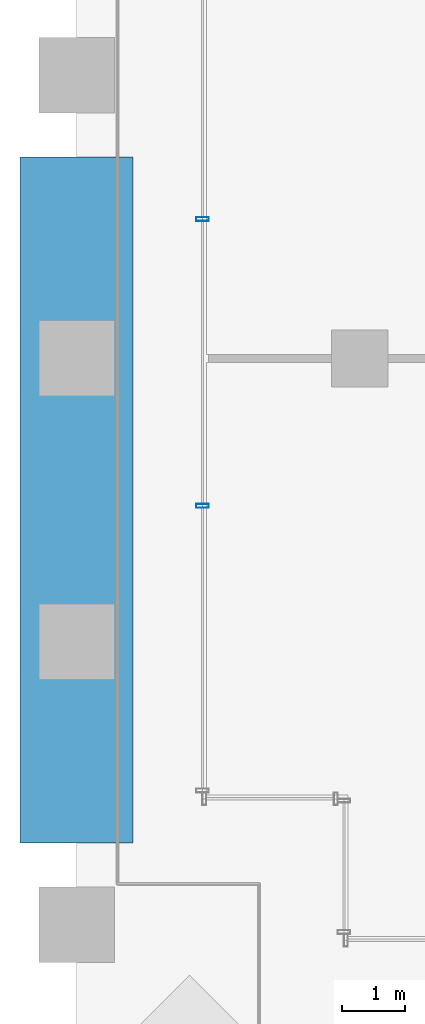
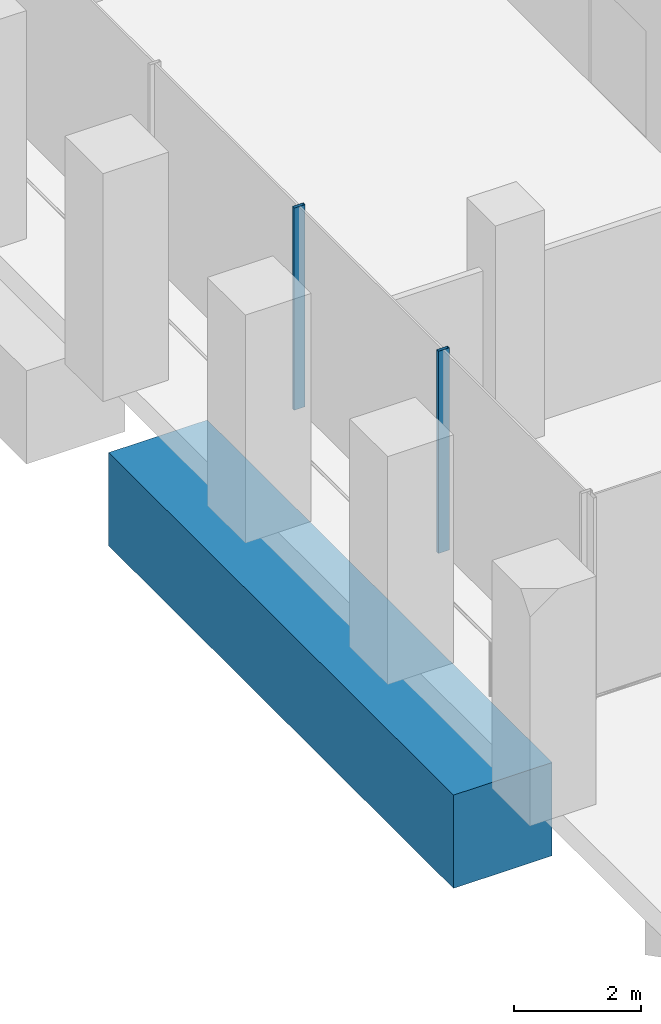
# One storey, part 3 of 32: 2 members, 1 beam, 1 element without a shape of its own.
"""IFC4 building model written with IfcOpenShell, lengths in metres."""

import ifcopenshell
import ifcopenshell.guid

model = None  # the IFC model being written
_history = None  # IfcOwnerHistory: only IFC2X3 demands one
_inside = {}  # id of a spatial element -> (the spatial element, [elements in it])
_under = {}  # id of a project, library or spatial element -> (it, [spatial elements below it])
_declared = {}  # id of a project -> (the project, [libraries it declares])
_typed = {}  # id of a type object -> (the type object, [elements of that type])
_made_of = {}  # id of a material, layer set ... -> (it, [elements and type objects made of it])


def new_model(schema):
    """Start an empty IFC model of exactly this schema.

    Asked for "IFC4X3", IfcOpenShell would pick the latest addendum, in which some entities
    have other attributes; the version numbers below select the first issue.
    IFC2X3 requires an IfcOwnerHistory on every rooted entity: one is made here for all.
    """
    global model, _history
    if schema == "IFC4X3":
        model = ifcopenshell.file(schema_version=(4, 3, 0, 0))
    else:
        model = ifcopenshell.file(schema=schema)
    _inside.clear()
    _under.clear()
    _declared.clear()
    _typed.clear()
    _made_of.clear()
    _history = None
    if model.schema == "IFC2X3":
        org = make("IfcOrganization", Name="unknown")
        user = make(
            "IfcPersonAndOrganization",
            ThePerson=make("IfcPerson", FamilyName="unknown"),
            TheOrganization=org,
        )
        app = make(
            "IfcApplication",
            ApplicationDeveloper=org,
            Version="unknown",
            ApplicationFullName="unknown",
            ApplicationIdentifier="unknown",
        )
        _history = make(
            "IfcOwnerHistory",
            OwningUser=user,
            OwningApplication=app,
            ChangeAction="ADDED",
            CreationDate=0,
        )
    return model


def make(cls, **values):
    """One entity of the class cls with the attributes given. An attribute that is None is left unset."""
    return model.create_entity(
        cls, **{name: value for name, value in values.items() if value is not None}
    )


def rooted(cls, **values):
    """An entity with a GlobalId (a new one), such as an element, a storey or a relation."""
    return make(cls, GlobalId=ifcopenshell.guid.new(), OwnerHistory=_history, **values)


def si_unit(unit_type, name, prefix=None):
    """IfcSIUnit, for example si_unit("LENGTHUNIT", "METRE", prefix="MILLI")."""
    return make("IfcSIUnit", UnitType=unit_type, Prefix=prefix, Name=name)


def assignment(units):
    """IfcUnitAssignment: the units of a project."""
    return None if units is None else make("IfcUnitAssignment", Units=units)


def point(xyz):
    """IfcCartesianPoint."""
    return None if xyz is None else make("IfcCartesianPoint", Coordinates=xyz)


def direction(xyz):
    """IfcDirection."""
    return None if xyz is None else make("IfcDirection", DirectionRatios=xyz)


def frame(location, z_axis=None, x_axis=None):
    """IfcAxis2Placement3D, a coordinate frame: its origin and axes. An axis left out is left unset."""
    return make(
        "IfcAxis2Placement3D",
        Location=point(location),
        Axis=direction(z_axis),
        RefDirection=direction(x_axis),
    )


def frame_2d(location, x_axis=None):
    """IfcAxis2Placement2D, a coordinate frame in the plane: its origin and x axis."""
    return make(
        "IfcAxis2Placement2D", Location=point(location), RefDirection=direction(x_axis)
    )


def origin():
    """The frame at (0, 0, 0) with its axes left unset."""
    return frame((0.0, 0.0, 0.0))


def origin_2d():
    """The frame at (0, 0) in the plane with its x axis left unset."""
    return frame_2d((0.0, 0.0))


def place(relative_to, where):
    """IfcLocalPlacement: puts the frame where relative to a parent placement (None: the world)."""
    return make(
        "IfcLocalPlacement", PlacementRelTo=relative_to, RelativePlacement=where
    )


def context(
    kind, dimensions, precision=None, world=None, true_north=None, identifier=None
):
    """IfcGeometricRepresentationContext, for example the 3D "Model" context."""
    return make(
        "IfcGeometricRepresentationContext",
        ContextIdentifier=identifier,
        ContextType=kind,
        CoordinateSpaceDimension=dimensions,
        Precision=precision,
        WorldCoordinateSystem=world,
        TrueNorth=true_north,
    )


def subcontext(parent, identifier, kind, view, scale=None):
    """IfcGeometricRepresentationSubContext, for example "Body" below "Model"."""
    return make(
        "IfcGeometricRepresentationSubContext",
        ContextIdentifier=identifier,
        ContextType=kind,
        ParentContext=parent,
        TargetScale=scale,
        TargetView=view,
    )


def project(units=None, contexts=None):
    """IfcProject with its units and contexts."""
    return rooted(
        "IfcProject",
        Name="project",
        RepresentationContexts=contexts,
        UnitsInContext=assignment(units),
    )


def spatial(cls, under=None, at=None, **own):
    """A site, building, storey or space (cls), placed at a placement, below another one or the project."""
    s = rooted(cls, ObjectPlacement=at, **own)
    if under is not None:
        _under.setdefault(under.id(), (under, []))[1].append(s)
    return s


def profile(cls, at=None, kind="AREA", **sizes):
    """A parametric profile (cls). Its sizes go by their IFC names, for example OverallWidth=200.0."""
    return make(cls, ProfileType=kind, Position=at, **sizes)


def rectangle(**sizes):
    """IfcRectangleProfileDef."""
    return profile("IfcRectangleProfileDef", **sizes)


def hollow_rectangle(**sizes):
    """IfcRectangleHollowProfileDef."""
    return profile("IfcRectangleHollowProfileDef", **sizes)


def extrude(swept, where, along, depth):
    """IfcExtrudedAreaSolid: the profile swept, set in the frame where, extruded along a direction by depth."""
    return make(
        "IfcExtrudedAreaSolid",
        SweptArea=swept,
        Position=where,
        ExtrudedDirection=direction(along),
        Depth=depth,
    )


def shape(context_of_items, identifier, shape_type, items):
    """IfcShapeRepresentation: the items that make up one representation, for example the "Body"."""
    return make(
        "IfcShapeRepresentation",
        ContextOfItems=context_of_items,
        RepresentationIdentifier=identifier,
        RepresentationType=shape_type,
        Items=items,
    )


def material(Name=None, Category=None):
    """IfcMaterial."""
    return make("IfcMaterial", Name=Name, Category=Category)


def material_profile(
    of_material, cross_section, Name=None, Category=None, Priority=None
):
    """IfcMaterialProfile: a cross section and its material."""
    return make(
        "IfcMaterialProfile",
        Name=Name,
        Material=of_material,
        Profile=cross_section,
        Priority=Priority,
        Category=Category,
    )


def profile_set(profiles, Name=None, composite=None):
    """IfcMaterialProfileSet."""
    return make(
        "IfcMaterialProfileSet",
        Name=Name,
        MaterialProfiles=profiles,
        CompositeProfile=composite,
    )


def made_of(thing, what):
    """Note that an element or type object is made of a material, layer set ...; save() writes the relation."""
    if what is not None:
        _made_of.setdefault(what.id(), (what, []))[1].append(thing)
    return thing


def type_object(cls, material=None, **own):
    """A type object (cls), such as IfcWallType, which elements share."""
    return made_of(rooted(cls, **own), material)


def element(
    cls,
    number,
    at=None,
    inside=None,
    cuts=None,
    type_object=None,
    material=None,
    context=None,
    identifier="Body",
    shape_type=None,
    held_by="IfcProductDefinitionShape",
    body=None,
    shapes=None,
    **own,
):
    """One element of the class cls, such as IfcWall. Its Tag is "e" and its number.

    at: its placement. inside: the storey or other place that contains it. cuts: it is an
    opening in that element (IfcRelVoidsElement). A single representation is given by context,
    identifier, shape_type and body (its items); several are given by shapes. held_by: the class
    of the entity that holds the representations. save() writes the other relations.
    """
    e = rooted(cls, Tag="e%d" % number, ObjectPlacement=at, **own)
    if body is not None:
        shapes = [shape(context, identifier, shape_type, body)]
    if shapes is not None:
        e.Representation = make(held_by, Representations=shapes)
    if inside is not None:
        _inside.setdefault(inside.id(), (inside, []))[1].append(e)
    if cuts is not None:
        rooted(
            "IfcRelVoidsElement", RelatingBuildingElement=cuts, RelatedOpeningElement=e
        )
    if type_object is not None:
        _typed.setdefault(type_object.id(), (type_object, []))[1].append(e)
    return made_of(e, material)


def aggregate(whole, parts):
    """IfcRelAggregates: a whole, such as a stair, and the parts it consists of."""
    return rooted("IfcRelAggregates", RelatingObject=whole, RelatedObjects=parts)


def save(model, path):
    """Write the relations noted so far, then the file.

    IfcRelAggregates (storeys below a building ...), IfcRelContainedInSpatialStructure (elements
    in a storey), IfcRelDefinesByType, IfcRelAssociatesMaterial and IfcRelDeclares: one each for
    every whole, place, type object, material and project.
    """
    for whole, parts in _under.values():
        aggregate(whole, parts)
    for where, things in _inside.values():
        rooted(
            "IfcRelContainedInSpatialStructure",
            RelatedElements=things,
            RelatingStructure=where,
        )
    for kind, things in _typed.values():
        rooted("IfcRelDefinesByType", RelatedObjects=things, RelatingType=kind)
    for what, things in _made_of.values():
        rooted("IfcRelAssociatesMaterial", RelatedObjects=things, RelatingMaterial=what)
    for by, libraries in _declared.values():
        rooted("IfcRelDeclares", RelatingContext=by, RelatedDefinitions=libraries)
    model.write(path)


model = new_model("IFC4")

# Units and contexts
model_context = context("Model", 3, precision=1e-05, world=origin(), true_north=direction((0.0, 1.0)))
body_context = subcontext(model_context, "Body", "Model", "MODEL_VIEW")
ifc_project = project(units=[si_unit("LENGTHUNIT", "METRE"), si_unit("AREAUNIT", "SQUARE_METRE"), si_unit("VOLUMEUNIT", "CUBIC_METRE"), si_unit("PLANEANGLEUNIT", "RADIAN"), si_unit("MASSUNIT", "GRAM", prefix="KILO")], contexts=[model_context])

# Site, building, storey
site_placement = place(None, origin())
site = spatial("IfcSite", under=ifc_project, at=site_placement, CompositionType="ELEMENT")
building_placement = place(site_placement, origin())
building = spatial("IfcBuilding", under=site, at=building_placement, Name="Altepetl Exchange Towers", CompositionType="ELEMENT")
storey_placement = place(building_placement, frame((0.0, 0.0, 21.0)))
storey = spatial("IfcBuildingStorey", under=building, at=storey_placement, Name="L04", CompositionType="ELEMENT", Elevation=21.0)

# Curtain wall, members
ifc_material_1 = material(Name="Aluminium 6063-T6 glazing", Category="aluminium")
curtain_wall_type = type_object("IfcCurtainWallType", Name="Trading floor glazing system", PredefinedType="NOTDEFINED", material=ifc_material_1)
curtain_wall_placement = place(storey_placement, origin())
curtain_wall = element("IfcCurtainWall", 1, at=curtain_wall_placement, inside=storey, type_object=curtain_wall_type, Name="CW2 run", PredefinedType="NOTDEFINED")
ifc_material_2 = material(Name="Aluminium 6063-T6", Category="aluminium")
ifc_material_profile_1 = material_profile(ifc_material_2, hollow_rectangle(XDim=0.06005859375, YDim=0.199951171875, WallThickness=0.0029296875, at=origin_2d()), Name="Mullion 60x200 aluminium")
ifc_profile_set_1 = profile_set([ifc_material_profile_1], Name="Aluminium 6063-T6")
member_type = type_object("IfcMemberType", Name="Mullion 60x200 aluminium", PredefinedType="MULLION", material=ifc_profile_set_1)
member_1_placement = place(storey_placement, frame((29.0, 42.71435546875, 0.0), z_axis=(0.0, 0.0, 1.0), x_axis=(0.0, -1.0, 0.0)))
member_1 = element("IfcMember", 2, at=member_1_placement, type_object=member_type, Name="MU2 mullion", PredefinedType="MULLION", context=body_context, shape_type="SweptSolid", body=[
    extrude(hollow_rectangle(XDim=0.06005859375, YDim=0.199951171875, WallThickness=0.0029296875, at=origin_2d()), origin(), (0.0, 0.0, 1.0), 3.89990234375),
])
member_2_placement = place(storey_placement, frame((29.0, 38.1572265625, 0.0), z_axis=(0.0, 0.0, 1.0), x_axis=(0.0, -1.0, 0.0)))
member_2 = element("IfcMember", 3, at=member_2_placement, type_object=member_type, Name="MU2 mullion", PredefinedType="MULLION", context=body_context, shape_type="SweptSolid", body=[
    extrude(hollow_rectangle(XDim=0.06005859375, YDim=0.199951171875, WallThickness=0.0029296875, at=origin_2d()), origin(), (0.0, 0.0, 1.0), 3.89990234375),
])
aggregate(curtain_wall, [member_1, member_2])

# Beam
ifc_material_3 = material(Name="Concrete C60/75", Category="concrete")
ifc_material_profile_2 = material_profile(ifc_material_3, rectangle(XDim=1.800048828125, YDim=1.800048828125, at=origin_2d()), Name="1800 x 1800")
ifc_profile_set_2 = profile_set([ifc_material_profile_2], Name="Concrete C60/75")
beam_type = type_object("IfcBeamType", Name="Transfer girder 1800x1800", PredefinedType="BEAM", material=ifc_profile_set_2)
beam_placement = place(storey_placement, frame((27.0, 32.800048828125, -1.35009765625), z_axis=(0.0, 1.0, 0.0), x_axis=(-1.0, 0.0, 0.0)))
element("IfcBeam", 4, at=beam_placement, inside=storey, type_object=beam_type, Name="bm:A:L04:tg09", PredefinedType="BEAM", context=body_context, shape_type="SweptSolid", body=[
    extrude(rectangle(XDim=1.800048828125, YDim=1.800048828125, at=origin_2d()), origin(), (0.0, 0.0, 1.0), 10.89990234375),
])

save(model, "model.ifc")
